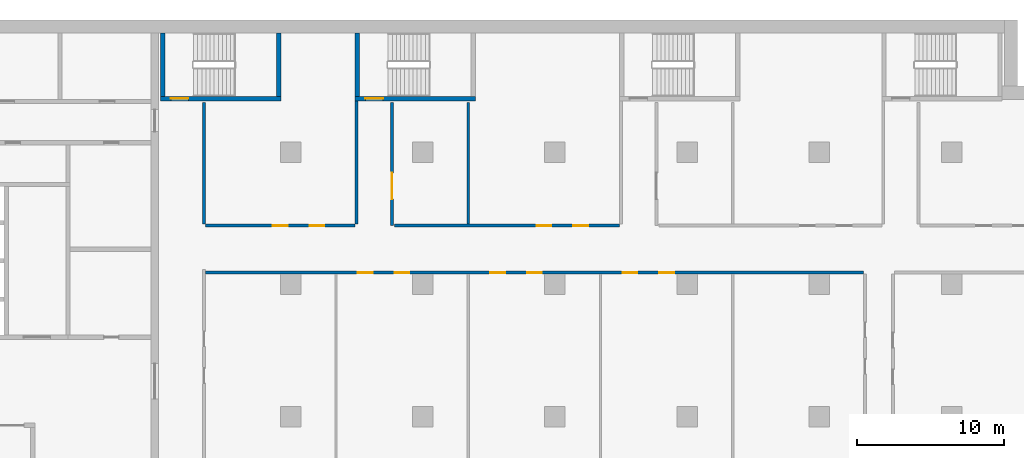
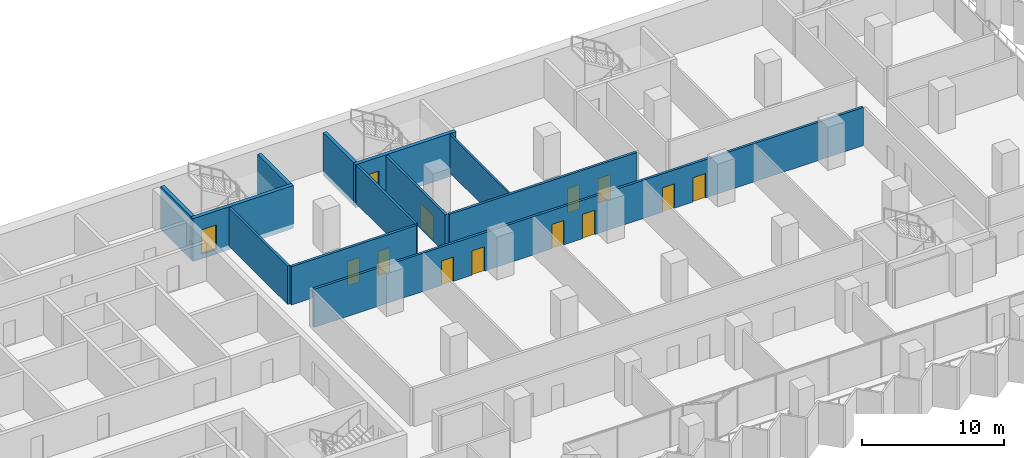
# One storey, part 16 of 28: 13 doors, 12 walls, 13 openings.
"""IFC4 building model written with IfcOpenShell, lengths in metres."""

from ifc_helpers import new_model, si_unit, direction, frame, frame_2d, origin, place, context, subcontext, project, spatial, rectangle, extrude, material, layer, layer_set, type_object, element, fill, save


model = new_model("IFC4")

# Units and contexts
model_context = context("Model", 3, precision=1e-05, world=origin(), true_north=direction((0.0, 1.0)))
body_context = subcontext(model_context, "Body", "Model", "MODEL_VIEW")
ifc_project = project(units=[si_unit("LENGTHUNIT", "METRE"), si_unit("AREAUNIT", "SQUARE_METRE"), si_unit("VOLUMEUNIT", "CUBIC_METRE"), si_unit("PLANEANGLEUNIT", "RADIAN"), si_unit("MASSUNIT", "GRAM", prefix="KILO")], contexts=[model_context])

# Site, building, storey
site_placement = place(None, origin())
site = spatial("IfcSite", under=ifc_project, at=site_placement, CompositionType="ELEMENT")
building_placement = place(site_placement, origin())
building = spatial("IfcBuilding", under=site, at=building_placement, Name="Hunhe Ridgeline Campus", CompositionType="ELEMENT")
storey_placement = place(building_placement, frame((0.0, 0.0, 35.800048828125)))
storey = spatial("IfcBuildingStorey", under=building, at=storey_placement, Name="L07", CompositionType="ELEMENT", Elevation=35.800048828125)

# Wall, openings, doors
ifc_material_1 = material(Name="Gypsum board partition")
ifc_layer_1 = layer(ifc_material_1, 0.199951171875)
ifc_layer_set_1 = layer_set([ifc_layer_1], Name="Corridor partition 200 gypsum board on steel studs")
wall_type_1 = type_object("IfcWallType", Name="Corridor partition 200 gypsum board on steel studs", PredefinedType="PARTITIONING", material=ifc_layer_set_1)
wall_1_placement = place(storey_placement, frame((84.0, 81.800048828125, 0.0), z_axis=(0.0, 0.0, 1.0), x_axis=(-1.0, 0.0, 0.0)))
wall_1 = element("IfcWall", 1, at=wall_1_placement, inside=storey, type_object=wall_type_1, Name="F-L07-wall-038", PredefinedType="PARTITIONING", context=body_context, shape_type="SweptSolid", body=[
    extrude(rectangle(XDim=44.800048828125, YDim=0.199951171875, at=frame_2d((22.39990234375, 0.0))), origin(), (0.0, 0.0, 1.0), 3.300048828125),
])
opening_1_placement = place(wall_1_placement, frame((33.41015625, 0.0, 0.0)))
opening_1 = element("IfcOpeningElement", 2, at=opening_1_placement, cuts=wall_1, Name="Opening RD1-037", PredefinedType="OPENING", context=body_context, shape_type="SweptSolid", body=[
    extrude(rectangle(XDim=1.0, YDim=2.10009765625, at=frame_2d((0.5, 1.050048828125))), frame((0.0, 0.10009765625, 0.0), z_axis=(0.0, -1.0, 0.0), x_axis=(1.0, 0.0, 0.0)), (0.0, 0.0, 1.0), 0.199951171875),
])
opening_2_placement = place(wall_1_placement, frame((30.91015625, 0.0, 0.0)))
opening_2 = element("IfcOpeningElement", 3, at=opening_2_placement, cuts=wall_1, Name="Opening RD1-038", PredefinedType="OPENING", context=body_context, shape_type="SweptSolid", body=[
    extrude(rectangle(XDim=1.0, YDim=2.10009765625, at=frame_2d((0.5, 1.050048828125))), frame((0.0, 0.10009765625, 0.0), z_axis=(0.0, -1.0, 0.0), x_axis=(1.0, 0.0, 0.0)), (0.0, 0.0, 1.0), 0.199951171875),
])
opening_3_placement = place(wall_1_placement, frame((24.39990234375, 0.0, 0.0)))
opening_3 = element("IfcOpeningElement", 4, at=opening_3_placement, cuts=wall_1, Name="Opening RD1-039", PredefinedType="OPENING", context=body_context, shape_type="SweptSolid", body=[
    extrude(rectangle(XDim=1.0, YDim=2.10009765625, at=frame_2d((0.5, 1.050048828125))), frame((0.0, 0.10009765625, 0.0), z_axis=(0.0, -1.0, 0.0), x_axis=(1.0, 0.0, 0.0)), (0.0, 0.0, 1.0), 0.199951171875),
])
opening_4_placement = place(wall_1_placement, frame((21.89990234375, 0.0, 0.0)))
opening_4 = element("IfcOpeningElement", 5, at=opening_4_placement, cuts=wall_1, Name="Opening RD1-040", PredefinedType="OPENING", context=body_context, shape_type="SweptSolid", body=[
    extrude(rectangle(XDim=1.0, YDim=2.10009765625, at=frame_2d((0.5, 1.050048828125))), frame((0.0, 0.10009765625, 0.0), z_axis=(0.0, -1.0, 0.0), x_axis=(1.0, 0.0, 0.0)), (0.0, 0.0, 1.0), 0.199951171875),
])
opening_5_placement = place(wall_1_placement, frame((15.389892578125, 0.0, 0.0)))
opening_5 = element("IfcOpeningElement", 6, at=opening_5_placement, cuts=wall_1, Name="Opening RD1-041", PredefinedType="OPENING", context=body_context, shape_type="SweptSolid", body=[
    extrude(rectangle(XDim=1.0, YDim=2.10009765625, at=frame_2d((0.5, 1.050048828125))), frame((0.0, 0.10009765625, 0.0), z_axis=(0.0, -1.0, 0.0), x_axis=(1.0, 0.0, 0.0)), (0.0, 0.0, 1.0), 0.199951171875),
])
opening_6_placement = place(wall_1_placement, frame((12.889892578125, 0.0, 0.0)))
opening_6 = element("IfcOpeningElement", 7, at=opening_6_placement, cuts=wall_1, Name="Opening RD1-042", PredefinedType="OPENING", context=body_context, shape_type="SweptSolid", body=[
    extrude(rectangle(XDim=1.0, YDim=2.10009765625, at=frame_2d((0.5, 1.050048828125))), frame((0.0, 0.10009765625, 0.0), z_axis=(0.0, -1.0, 0.0), x_axis=(1.0, 0.0, 0.0)), (0.0, 0.0, 1.0), 0.199951171875),
])
ifc_material_2 = material(Name="Timber door leaf", Category="wood")
door_type_1 = type_object("IfcDoorType", Name="Single fire door 1000x2100 timber FD60", OperationType="NOTDEFINED", PredefinedType="DOOR", material=ifc_material_2)
door_1_placement = place(opening_1_placement, frame((1.0, 0.0, 0.0), z_axis=(0.0, 0.0, 1.0), x_axis=(-1.0, 0.0, 0.0)))
door_1 = element("IfcDoor", 8, at=door_1_placement, inside=storey, type_object=door_type_1, Name="F-L07-door-037", OperationType="SINGLE_SWING_LEFT", OverallHeight=2.10009765625, OverallWidth=1.0, PredefinedType="DOOR", context=body_context, shape_type="SweptSolid", body=[
    extrude(rectangle(XDim=1.0, YDim=2.10009765625, at=frame_2d((0.5, 1.050048828125))), frame((0.0, 0.02490234375, 0.0), z_axis=(0.0, -1.0, 0.0), x_axis=(1.0, 0.0, 0.0)), (0.0, 0.0, 1.0), 0.050048828125),
])
fill(opening_1, door_1)
door_2_placement = place(opening_2_placement, frame((1.0, 0.0, 0.0), z_axis=(0.0, 0.0, 1.0), x_axis=(-1.0, 0.0, 0.0)))
door_2 = element("IfcDoor", 9, at=door_2_placement, inside=storey, type_object=door_type_1, Name="F-L07-door-038", OperationType="SINGLE_SWING_RIGHT", OverallHeight=2.10009765625, OverallWidth=1.0, PredefinedType="DOOR", context=body_context, shape_type="SweptSolid", body=[
    extrude(rectangle(XDim=1.0, YDim=2.10009765625, at=frame_2d((0.5, 1.050048828125))), frame((0.0, 0.02490234375, 0.0), z_axis=(0.0, -1.0, 0.0), x_axis=(1.0, 0.0, 0.0)), (0.0, 0.0, 1.0), 0.050048828125),
])
fill(opening_2, door_2)
door_3_placement = place(opening_3_placement, frame((1.0, 0.0, 0.0), z_axis=(0.0, 0.0, 1.0), x_axis=(-1.0, 0.0, 0.0)))
door_3 = element("IfcDoor", 10, at=door_3_placement, inside=storey, type_object=door_type_1, Name="F-L07-door-039", OperationType="SINGLE_SWING_LEFT", OverallHeight=2.10009765625, OverallWidth=1.0, PredefinedType="DOOR", context=body_context, shape_type="SweptSolid", body=[
    extrude(rectangle(XDim=1.0, YDim=2.10009765625, at=frame_2d((0.5, 1.050048828125))), frame((0.0, 0.02490234375, 0.0), z_axis=(0.0, -1.0, 0.0), x_axis=(1.0, 0.0, 0.0)), (0.0, 0.0, 1.0), 0.050048828125),
])
fill(opening_3, door_3)
door_4_placement = place(opening_4_placement, frame((1.0, 0.0, 0.0), z_axis=(0.0, 0.0, 1.0), x_axis=(-1.0, 0.0, 0.0)))
door_4 = element("IfcDoor", 11, at=door_4_placement, inside=storey, type_object=door_type_1, Name="F-L07-door-040", OperationType="SINGLE_SWING_RIGHT", OverallHeight=2.10009765625, OverallWidth=1.0, PredefinedType="DOOR", context=body_context, shape_type="SweptSolid", body=[
    extrude(rectangle(XDim=1.0, YDim=2.10009765625, at=frame_2d((0.5, 1.050048828125))), frame((0.0, 0.02490234375, 0.0), z_axis=(0.0, -1.0, 0.0), x_axis=(1.0, 0.0, 0.0)), (0.0, 0.0, 1.0), 0.050048828125),
])
fill(opening_4, door_4)
door_5_placement = place(opening_5_placement, frame((1.0, 0.0, 0.0), z_axis=(0.0, 0.0, 1.0), x_axis=(-1.0, 0.0, 0.0)))
door_5 = element("IfcDoor", 12, at=door_5_placement, inside=storey, type_object=door_type_1, Name="F-L07-door-041", OperationType="SINGLE_SWING_LEFT", OverallHeight=2.10009765625, OverallWidth=1.0, PredefinedType="DOOR", context=body_context, shape_type="SweptSolid", body=[
    extrude(rectangle(XDim=1.0, YDim=2.10009765625, at=frame_2d((0.5, 1.050048828125))), frame((0.0, 0.02490234375, 0.0), z_axis=(0.0, -1.0, 0.0), x_axis=(1.0, 0.0, 0.0)), (0.0, 0.0, 1.0), 0.050048828125),
])
fill(opening_5, door_5)
door_6_placement = place(opening_6_placement, frame((1.0, 0.0, 0.0), z_axis=(0.0, 0.0, 1.0), x_axis=(-1.0, 0.0, 0.0)))
door_6 = element("IfcDoor", 13, at=door_6_placement, inside=storey, type_object=door_type_1, Name="F-L07-door-042", OperationType="SINGLE_SWING_RIGHT", OverallHeight=2.10009765625, OverallWidth=1.0, PredefinedType="DOOR", context=body_context, shape_type="SweptSolid", body=[
    extrude(rectangle(XDim=1.0, YDim=2.10009765625, at=frame_2d((0.5, 1.050048828125))), frame((0.0, 0.02490234375, 0.0), z_axis=(0.0, -1.0, 0.0), x_axis=(1.0, 0.0, 0.0)), (0.0, 0.0, 1.0), 0.050048828125),
])
fill(opening_6, door_6)

wall_2_placement = place(storey_placement, frame((39.199951171875, 85.0, 0.0), z_axis=(0.0, 0.0, 1.0), x_axis=(1.0, 0.0, 0.0)))
wall_2 = element("IfcWall", 14, at=wall_2_placement, inside=storey, type_object=wall_type_1, Name="F-L07-wall-040", PredefinedType="PARTITIONING", context=body_context, shape_type="SweptSolid", body=[
    extrude(rectangle(XDim=10.199951171875, YDim=0.199951171875, at=frame_2d((5.10009765625, 0.0))), origin(), (0.0, 0.0, 1.0), 3.300048828125),
])
opening_7_placement = place(wall_2_placement, frame((4.60009765625, 0.0, 0.0)))
opening_7 = element("IfcOpeningElement", 15, at=opening_7_placement, cuts=wall_2, Name="Opening RD1-043", PredefinedType="OPENING", context=body_context, shape_type="SweptSolid", body=[
    extrude(rectangle(XDim=1.0, YDim=2.10009765625, at=frame_2d((0.5, 1.050048828125))), frame((0.0, 0.10009765625, 0.0), z_axis=(0.0, -1.0, 0.0), x_axis=(1.0, 0.0, 0.0)), (0.0, 0.0, 1.0), 0.199951171875),
])
opening_8_placement = place(wall_2_placement, frame((7.10009765625, 0.0, 0.0)))
opening_8 = element("IfcOpeningElement", 16, at=opening_8_placement, cuts=wall_2, Name="Opening RD1-044", PredefinedType="OPENING", context=body_context, shape_type="SweptSolid", body=[
    extrude(rectangle(XDim=1.0, YDim=2.10009765625, at=frame_2d((0.5, 1.050048828125))), frame((0.0, 0.10009765625, 0.0), z_axis=(0.0, -1.0, 0.0), x_axis=(1.0, 0.0, 0.0)), (0.0, 0.0, 1.0), 0.199951171875),
])
door_7_placement = place(opening_7_placement, frame((1.0, 0.0, 0.0), z_axis=(0.0, 0.0, 1.0), x_axis=(-1.0, 0.0, 0.0)))
door_7 = element("IfcDoor", 17, at=door_7_placement, inside=storey, type_object=door_type_1, Name="F-L07-door-043", OperationType="SINGLE_SWING_LEFT", OverallHeight=2.10009765625, OverallWidth=1.0, PredefinedType="DOOR", context=body_context, shape_type="SweptSolid", body=[
    extrude(rectangle(XDim=1.0, YDim=2.10009765625, at=frame_2d((0.5, 1.050048828125))), frame((0.0, 0.02490234375, 0.0), z_axis=(0.0, -1.0, 0.0), x_axis=(1.0, 0.0, 0.0)), (0.0, 0.0, 1.0), 0.050048828125),
])
fill(opening_7, door_7)
door_8_placement = place(opening_8_placement, frame((1.0, 0.0, 0.0), z_axis=(0.0, 0.0, 1.0), x_axis=(-1.0, 0.0, 0.0)))
door_8 = element("IfcDoor", 18, at=door_8_placement, inside=storey, type_object=door_type_1, Name="F-L07-door-044", OperationType="SINGLE_SWING_LEFT", OverallHeight=2.10009765625, OverallWidth=1.0, PredefinedType="DOOR", context=body_context, shape_type="SweptSolid", body=[
    extrude(rectangle(XDim=1.0, YDim=2.10009765625, at=frame_2d((0.5, 1.050048828125))), frame((0.0, 0.02490234375, 0.0), z_axis=(0.0, -1.0, 0.0), x_axis=(1.0, 0.0, 0.0)), (0.0, 0.0, 1.0), 0.050048828125),
])
fill(opening_8, door_8)

wall_3_placement = place(storey_placement, frame((52.087646484375, 85.0, 0.0), z_axis=(0.0, 0.0, 1.0), x_axis=(1.0, 0.0, 0.0)))
wall_3 = element("IfcWall", 19, at=wall_3_placement, inside=storey, type_object=wall_type_1, Name="F-L07-wall-041", PredefinedType="PARTITIONING", context=body_context, shape_type="SweptSolid", body=[
    extrude(rectangle(XDim=15.312255859375, YDim=0.199951171875, at=frame_2d((7.65625, 0.0))), origin(), (0.0, 0.0, 1.0), 3.300048828125),
])
opening_9_placement = place(wall_3_placement, frame((9.66650390625, 0.0, 0.0)))
opening_9 = element("IfcOpeningElement", 20, at=opening_9_placement, cuts=wall_3, Name="Opening RD1-045", PredefinedType="OPENING", context=body_context, shape_type="SweptSolid", body=[
    extrude(rectangle(XDim=1.0, YDim=2.10009765625, at=frame_2d((0.5, 1.050048828125))), frame((0.0, 0.10009765625, 0.0), z_axis=(0.0, -1.0, 0.0), x_axis=(1.0, 0.0, 0.0)), (0.0, 0.0, 1.0), 0.199951171875),
])
opening_10_placement = place(wall_3_placement, frame((12.16650390625, 0.0, 0.0)))
opening_10 = element("IfcOpeningElement", 21, at=opening_10_placement, cuts=wall_3, Name="Opening RD1-046", PredefinedType="OPENING", context=body_context, shape_type="SweptSolid", body=[
    extrude(rectangle(XDim=1.0, YDim=2.10009765625, at=frame_2d((0.5, 1.050048828125))), frame((0.0, 0.10009765625, 0.0), z_axis=(0.0, -1.0, 0.0), x_axis=(1.0, 0.0, 0.0)), (0.0, 0.0, 1.0), 0.199951171875),
])
door_9_placement = place(opening_9_placement, frame((1.0, 0.0, 0.0), z_axis=(0.0, 0.0, 1.0), x_axis=(-1.0, 0.0, 0.0)))
door_9 = element("IfcDoor", 22, at=door_9_placement, inside=storey, type_object=door_type_1, Name="F-L07-door-045", OperationType="SINGLE_SWING_RIGHT", OverallHeight=2.10009765625, OverallWidth=1.0, PredefinedType="DOOR", context=body_context, shape_type="SweptSolid", body=[
    extrude(rectangle(XDim=1.0, YDim=2.10009765625, at=frame_2d((0.5, 1.050048828125))), frame((0.0, 0.02490234375, 0.0), z_axis=(0.0, -1.0, 0.0), x_axis=(1.0, 0.0, 0.0)), (0.0, 0.0, 1.0), 0.050048828125),
])
fill(opening_9, door_9)
door_10_placement = place(opening_10_placement, frame((1.0, 0.0, 0.0), z_axis=(0.0, 0.0, 1.0), x_axis=(-1.0, 0.0, 0.0)))
door_10 = element("IfcDoor", 23, at=door_10_placement, inside=storey, type_object=door_type_1, Name="F-L07-door-046", OperationType="SINGLE_SWING_LEFT", OverallHeight=2.10009765625, OverallWidth=1.0, PredefinedType="DOOR", context=body_context, shape_type="SweptSolid", body=[
    extrude(rectangle(XDim=1.0, YDim=2.10009765625, at=frame_2d((0.5, 1.050048828125))), frame((0.0, 0.02490234375, 0.0), z_axis=(0.0, -1.0, 0.0), x_axis=(1.0, 0.0, 0.0)), (0.0, 0.0, 1.0), 0.050048828125),
])
fill(opening_10, door_10)

# Walls
wall_4_placement = place(storey_placement, frame((39.10009765625, 93.39599609375, 0.0), z_axis=(0.0, 0.0, 1.0), x_axis=(0.0, -1.0, 0.0)))
element("IfcWall", 24, at=wall_4_placement, inside=storey, type_object=wall_type_1, Name="F-L07-wall-056", PredefinedType="PARTITIONING", context=body_context, shape_type="SweptSolid", body=[
    extrude(rectangle(XDim=8.2958984375, YDim=0.199951171875, at=frame_2d((4.14794921875, 0.0))), origin(), (0.0, 0.0, 1.0), 3.300048828125),
])
wall_5_placement = place(storey_placement, frame((49.5, 85.10009765625, 0.0), z_axis=(0.0, 0.0, 1.0), x_axis=(0.0, 1.0, 0.0)))
element("IfcWall", 25, at=wall_5_placement, inside=storey, type_object=wall_type_1, Name="F-L07-wall-059", PredefinedType="PARTITIONING", context=body_context, shape_type="SweptSolid", body=[
    extrude(rectangle(XDim=8.369873046875, YDim=0.199951171875, at=frame_2d((4.18505859375, 0.0))), origin(), (0.0, 0.0, 1.0), 3.300048828125),
])

# Wall, opening, door
wall_6_placement = place(storey_placement, frame((51.89990234375, 93.39599609375, 0.0), z_axis=(0.0, 0.0, 1.0), x_axis=(0.0, -1.0, 0.0)))
wall_6 = element("IfcWall", 26, at=wall_6_placement, inside=storey, type_object=wall_type_1, Name="F-L07-wall-060", PredefinedType="PARTITIONING", context=body_context, shape_type="SweptSolid", body=[
    extrude(rectangle(XDim=8.39599609375, YDim=0.199951171875, at=frame_2d((4.197998046875, 0.0))), origin(), (0.0, 0.0, 1.0), 3.300048828125),
])
opening_11_placement = place(wall_6_placement, frame((4.798095703125, 0.0, 0.0)))
opening_11 = element("IfcOpeningElement", 27, at=opening_11_placement, cuts=wall_6, Name="Opening RD2-051", PredefinedType="OPENING", context=body_context, shape_type="SweptSolid", body=[
    extrude(rectangle(XDim=1.800048828125, YDim=2.10009765625, at=frame_2d((0.89990234375, 1.050048828125))), frame((0.0, 0.10009765625, 0.0), z_axis=(0.0, -1.0, 0.0), x_axis=(1.0, 0.0, 0.0)), (0.0, 0.0, 1.0), 0.199951171875),
])
door_type_2 = type_object("IfcDoorType", Name="Double fire door 1800x2100 timber FD60", OperationType="DOUBLE_DOOR_SINGLE_SWING", PredefinedType="DOOR", material=ifc_material_2)
door_11_placement = place(opening_11_placement, origin())
door_11 = element("IfcDoor", 28, at=door_11_placement, inside=storey, type_object=door_type_2, Name="F-L07-door-051", OperationType="DOUBLE_DOOR_SINGLE_SWING", OverallHeight=2.10009765625, OverallWidth=1.800048828125, PredefinedType="DOOR", context=body_context, shape_type="SweptSolid", body=[
    extrude(rectangle(XDim=1.800048828125, YDim=2.10009765625, at=frame_2d((0.89990234375, 1.050048828125))), frame((0.0, 0.02490234375, 0.0), z_axis=(0.0, -1.0, 0.0), x_axis=(1.0, 0.0, 0.0)), (0.0, 0.0, 1.0), 0.050048828125),
])
fill(opening_11, door_11)

# Wall
ifc_layer_2 = layer(ifc_material_1, 0.14990234375)
ifc_layer_set_2 = layer_set([ifc_layer_2], Name="Room partition 150 gypsum board on steel studs")
wall_type_2 = type_object("IfcWallType", Name="Room partition 150 gypsum board on steel studs", PredefinedType="PARTITIONING", material=ifc_layer_set_2)
wall_7_placement = place(storey_placement, frame((57.10009765625, 93.39599609375, 0.0), z_axis=(0.0, 0.0, 1.0), x_axis=(0.0, -1.0, 0.0)))
element("IfcWall", 29, at=wall_7_placement, inside=storey, type_object=wall_type_2, Name="F-L07-wall-064", PredefinedType="PARTITIONING", context=body_context, shape_type="SweptSolid", body=[
    extrude(rectangle(XDim=8.2958984375, YDim=0.14990234375, at=frame_2d((4.14794921875, 0.0))), origin(), (0.0, 0.0, 1.0), 3.300048828125),
])

# Wall, opening, door
ifc_material_3 = material(Name="Concrete C80", Category="concrete")
ifc_layer_3 = layer(ifc_material_3, 0.300048828125)
ifc_layer_set_3 = layer_set([ifc_layer_3], Name="Stair wall 300 reinforced concrete C80")
wall_type_3 = type_object("IfcWallType", Name="Stair wall 300 reinforced concrete C80", PredefinedType="SOLIDWALL", material=ifc_layer_set_3)
wall_8_placement = place(storey_placement, frame((36.14990234375, 93.64990234375, -0.400146484375), z_axis=(0.0, 0.0, 1.0), x_axis=(1.0, 0.0, 0.0)))
wall_8 = element("IfcWall", 30, at=wall_8_placement, inside=storey, type_object=wall_type_3, Name="L07 core wall 32", PredefinedType="SOLIDWALL", context=body_context, shape_type="SweptSolid", body=[
    extrude(rectangle(XDim=8.2001953125, YDim=0.300048828125, at=frame_2d((4.10009765625, 0.0))), origin(), (0.0, 0.0, 1.0), 3.7001953125),
])
opening_12_placement = place(wall_8_placement, frame((0.699951171875, 0.0, 0.39990234375)))
opening_12 = element("IfcOpeningElement", 31, at=opening_12_placement, cuts=wall_8, Name="Opening CD17", PredefinedType="OPENING", context=body_context, shape_type="SweptSolid", body=[
    extrude(rectangle(XDim=1.199951171875, YDim=2.10009765625, at=frame_2d((0.60009765625, 1.050048828125))), frame((0.0, 0.14990234375, 0.0), z_axis=(0.0, -1.0, 0.0), x_axis=(1.0, 0.0, 0.0)), (0.0, 0.0, 1.0), 0.300048828125),
])
ifc_material_4 = material(Name="Hollow metal fire door leaf")
door_type_3 = type_object("IfcDoorType", Name="Stair door 1200x2100 FD60", OperationType="SINGLE_SWING_LEFT", PredefinedType="DOOR", material=ifc_material_4)
door_12_placement = place(opening_12_placement, frame((1.199951171875, 0.0, 0.0), z_axis=(0.0, 0.0, 1.0), x_axis=(-1.0, 0.0, 0.0)))
door_12 = element("IfcDoor", 32, at=door_12_placement, inside=storey, type_object=door_type_3, Name="L07 door E1", OperationType="SINGLE_SWING_RIGHT", OverallHeight=2.10009765625, OverallWidth=1.199951171875, PredefinedType="DOOR", context=body_context, shape_type="SweptSolid", body=[
    extrude(rectangle(XDim=1.199951171875, YDim=2.10009765625, at=frame_2d((0.60009765625, 1.050048828125))), frame((0.0, 0.02490234375, 0.0), z_axis=(0.0, -1.0, 0.0), x_axis=(1.0, 0.0, 0.0)), (0.0, 0.0, 1.0), 0.050048828125),
])
fill(opening_12, door_12)

wall_9_placement = place(storey_placement, frame((49.39990234375, 93.64990234375, -0.400146484375), z_axis=(0.0, 0.0, 1.0), x_axis=(1.0, 0.0, 0.0)))
wall_9 = element("IfcWall", 33, at=wall_9_placement, inside=storey, type_object=wall_type_3, Name="L07 core wall 33", PredefinedType="SOLIDWALL", context=body_context, shape_type="SweptSolid", body=[
    extrude(rectangle(XDim=8.2001953125, YDim=0.300048828125, at=frame_2d((4.10009765625, 0.0))), origin(), (0.0, 0.0, 1.0), 3.7001953125),
])
opening_13_placement = place(wall_9_placement, frame((0.699951171875, 0.0, 0.39990234375)))
opening_13 = element("IfcOpeningElement", 34, at=opening_13_placement, cuts=wall_9, Name="Opening CD18", PredefinedType="OPENING", context=body_context, shape_type="SweptSolid", body=[
    extrude(rectangle(XDim=1.199951171875, YDim=2.10009765625, at=frame_2d((0.60009765625, 1.050048828125))), frame((0.0, 0.14990234375, 0.0), z_axis=(0.0, -1.0, 0.0), x_axis=(1.0, 0.0, 0.0)), (0.0, 0.0, 1.0), 0.300048828125),
])
door_13_placement = place(opening_13_placement, frame((1.199951171875, 0.0, 0.0), z_axis=(0.0, 0.0, 1.0), x_axis=(-1.0, 0.0, 0.0)))
door_13 = element("IfcDoor", 35, at=door_13_placement, inside=storey, type_object=door_type_3, Name="L07 door E2", OperationType="SINGLE_SWING_LEFT", OverallHeight=2.10009765625, OverallWidth=1.199951171875, PredefinedType="DOOR", context=body_context, shape_type="SweptSolid", body=[
    extrude(rectangle(XDim=1.199951171875, YDim=2.10009765625, at=frame_2d((0.60009765625, 1.050048828125))), frame((0.0, 0.02490234375, 0.0), z_axis=(0.0, -1.0, 0.0), x_axis=(1.0, 0.0, 0.0)), (0.0, 0.0, 1.0), 0.050048828125),
])
fill(opening_13, door_13)

# Walls
for number, where, z_axis, x_axis, name in (
    (36, (36.300048828125, 93.800048828125, -0.400146484375), (0.0, 0.0, 1.0), (0.0, 1.0, 0.0), "L07 core wall 65"),
    (37, (44.199951171875, 93.800048828125, -0.400146484375), (0.0, 0.0, 1.0), (0.0, 1.0, 0.0), "L07 core wall 66"),
    (38, (49.550048828125, 93.800048828125, -0.400146484375), (0.0, 0.0, 1.0), (0.0, 1.0, 0.0), "L07 core wall 67"),
):
    element("IfcWall", number, at=place(storey_placement, frame(where, z_axis=z_axis, x_axis=x_axis)), inside=storey, type_object=wall_type_3, Name=name, PredefinedType="SOLIDWALL", context=body_context, shape_type="SweptSolid", body=[
        extrude(rectangle(XDim=4.300048828125, YDim=0.300048828125, at=frame_2d((2.14990234375, 0.0))), origin(), (0.0, 0.0, 1.0), 3.7001953125),
    ])

save(model, "model.ifc")
